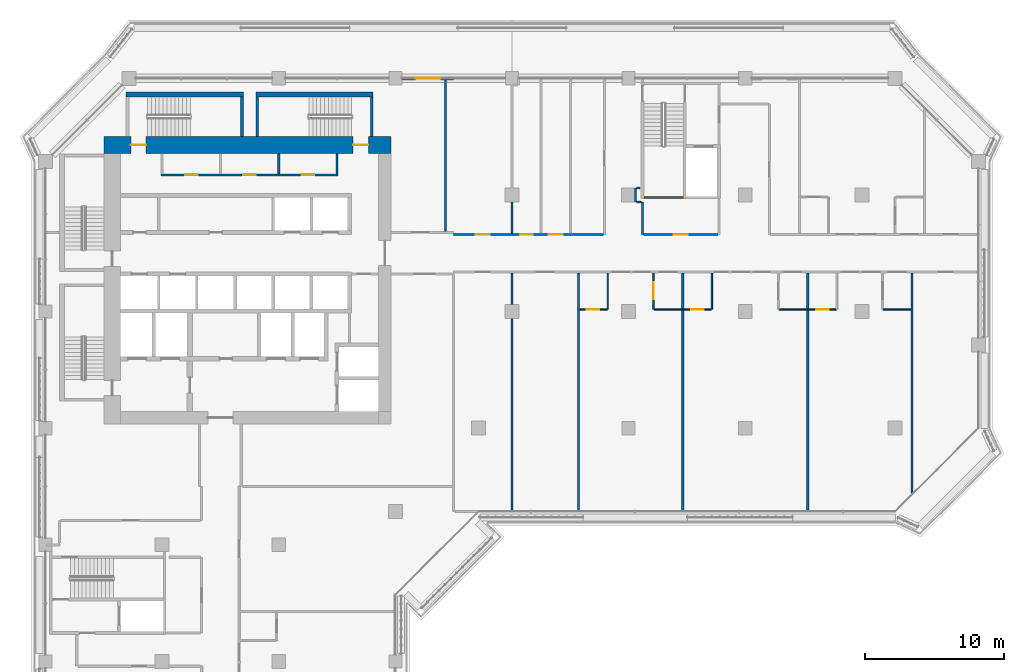
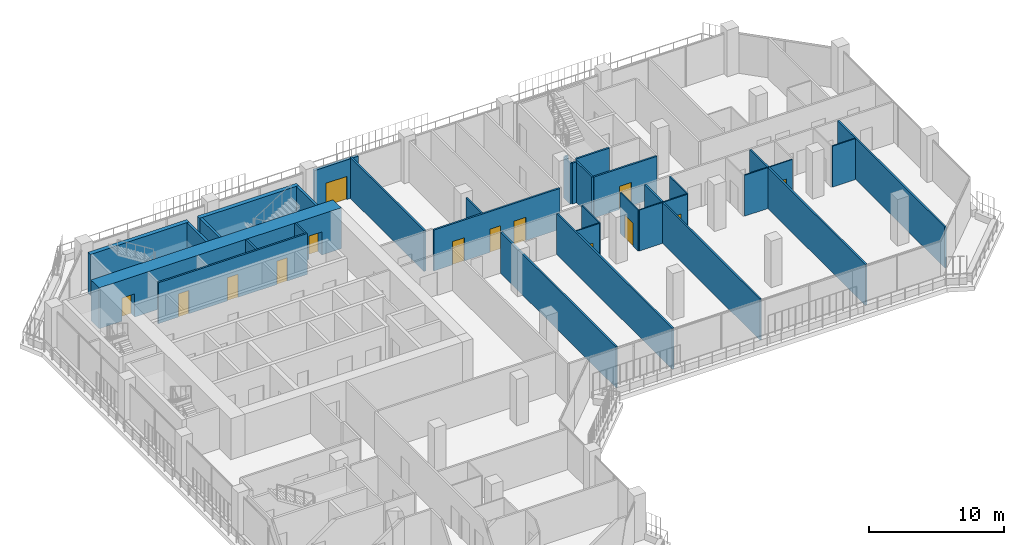
# One storey, part 12 of 22: 31 walls, 14 doors, 14 openings.
"""IFC4 building model written with IfcOpenShell, lengths in metres."""

from ifc_helpers import new_model, si_unit, direction, frame, frame_2d, origin, place, context, subcontext, project, spatial, rectangle, extrude, material, layer, layer_set, type_object, element, fill, save


model = new_model("IFC4")

# Units and contexts
model_context = context("Model", 3, precision=1e-05, world=origin(), true_north=direction((0.0, 1.0)))
body_context = subcontext(model_context, "Body", "Model", "MODEL_VIEW")
ifc_project = project(units=[si_unit("LENGTHUNIT", "METRE"), si_unit("AREAUNIT", "SQUARE_METRE"), si_unit("VOLUMEUNIT", "CUBIC_METRE"), si_unit("PLANEANGLEUNIT", "RADIAN"), si_unit("MASSUNIT", "GRAM", prefix="KILO")], contexts=[model_context])

# Site, building, storey
site_placement = place(None, origin())
site = spatial("IfcSite", under=ifc_project, at=site_placement, CompositionType="ELEMENT")
building_placement = place(site_placement, origin())
building = spatial("IfcBuilding", under=site, at=building_placement, Name="Kawkab Arch Medical Tower", CompositionType="ELEMENT")
storey_placement = place(building_placement, frame((0.0, 0.0, 208.800048828125)))
storey = spatial("IfcBuildingStorey", under=building, at=storey_placement, Name="L48", CompositionType="ELEMENT", Elevation=208.800048828125)

# Wall, openings, doors
ifc_material_1 = material(Name="Concrete C55/67", Category="concrete")
ifc_layer_1 = layer(ifc_material_1, 1.199951171875)
ifc_layer_set_1 = layer_set([ifc_layer_1], Name="Concrete C55/67")
wall_type_1 = type_object("IfcWallType", Name="Core ring wall 1200 C55/67", PredefinedType="SHEAR", material=ifc_layer_set_1)
wall_1_placement = place(storey_placement, frame((4.199951171875, -4.800048828125, 0.0), z_axis=(0.0, 0.0, 1.0), x_axis=(1.0, 0.0, 0.0)))
wall_1 = element("IfcWall", 1, at=wall_1_placement, inside=storey, type_object=wall_type_1, Name="L48 core wall", PredefinedType="SHEAR", context=body_context, shape_type="SweptSolid", body=[
    extrude(rectangle(XDim=20.699951171875, YDim=1.199951171875, at=frame_2d((10.35009765625, 0.0))), origin(), (0.0, 0.0, 1.0), 3.699951171875),
])
opening_1_placement = place(wall_1_placement, frame((1.949951171875, 0.0, 0.0)))
opening_1 = element("IfcOpeningElement", 2, at=opening_1_placement, cuts=wall_1, Name="Opening SD", PredefinedType="OPENING", context=body_context, shape_type="SweptSolid", body=[
    extrude(rectangle(XDim=1.10009765625, YDim=2.10009765625, at=frame_2d((0.550048828125, 1.050048828125))), frame((0.0, 0.60986328125, 0.0), z_axis=(0.0, -1.0, 0.0), x_axis=(1.0, 0.0, 0.0)), (0.0, 0.0, 1.0), 1.219970703125),
])
opening_2_placement = place(wall_1_placement, frame((17.949951171875, 0.0, 0.0)))
opening_2 = element("IfcOpeningElement", 3, at=opening_2_placement, cuts=wall_1, Name="Opening SD", PredefinedType="OPENING", context=body_context, shape_type="SweptSolid", body=[
    extrude(rectangle(XDim=1.10009765625, YDim=2.10009765625, at=frame_2d((0.550048828125, 1.050048828125))), frame((0.0, 0.60986328125, 0.0), z_axis=(0.0, -1.0, 0.0), x_axis=(1.0, 0.0, 0.0)), (0.0, 0.0, 1.0), 1.219970703125),
])
ifc_material_2 = material(Name="Hollow metal fire door leaf")
door_type_1 = type_object("IfcDoorType", Name="Exit stair door 1100", OperationType="SINGLE_SWING_LEFT", PredefinedType="DOOR", material=ifc_material_2)
door_1_placement = place(opening_1_placement, origin())
door_1 = element("IfcDoor", 4, at=door_1_placement, inside=storey, type_object=door_type_1, Name="L48 Exit stair ST3 door", OperationType="SINGLE_SWING_LEFT", OverallHeight=2.10009765625, OverallWidth=1.10009765625, PredefinedType="DOOR", context=body_context, shape_type="SweptSolid", body=[
    extrude(rectangle(XDim=1.10009765625, YDim=2.10009765625, at=frame_2d((0.550048828125, 1.050048828125))), frame((0.0, 0.02490234375, 0.0), z_axis=(0.0, -1.0, 0.0), x_axis=(1.0, 0.0, 0.0)), (0.0, 0.0, 1.0), 0.050048828125),
])
fill(opening_1, door_1)
door_2_placement = place(opening_2_placement, origin())
door_2 = element("IfcDoor", 5, at=door_2_placement, inside=storey, type_object=door_type_1, Name="L48 Exit stair ST4 door", OperationType="SINGLE_SWING_LEFT", OverallHeight=2.10009765625, OverallWidth=1.10009765625, PredefinedType="DOOR", context=body_context, shape_type="SweptSolid", body=[
    extrude(rectangle(XDim=1.10009765625, YDim=2.10009765625, at=frame_2d((0.550048828125, 1.050048828125))), frame((0.0, 0.02490234375, 0.0), z_axis=(0.0, -1.0, 0.0), x_axis=(1.0, 0.0, 0.0)), (0.0, 0.0, 1.0), 0.050048828125),
])
fill(opening_2, door_2)

ifc_material_3 = material(Name="Gypsum board on steel studs", Category="steel")
ifc_layer_2 = layer(ifc_material_3, 0.14990234375)
ifc_layer_set_2 = layer_set([ifc_layer_2], Name="Gypsum board on steel studs")
wall_type_2 = type_object("IfcWallType", Name="Core room partition 150", PredefinedType="PARTITIONING", material=ifc_layer_set_2)
wall_2_placement = place(storey_placement, frame((8.324951171875, -6.949951171875, 0.0), z_axis=(0.0, 0.0, 1.0), x_axis=(1.0, 0.0, 0.0)))
wall_2 = element("IfcWall", 6, at=wall_2_placement, inside=storey, type_object=wall_type_2, Name="L48 core room partition", PredefinedType="PARTITIONING", context=body_context, shape_type="SweptSolid", body=[
    extrude(rectangle(XDim=12.75, YDim=0.14990234375, at=frame_2d((6.375, 0.0))), origin(), (0.0, 0.0, 1.0), 3.699951171875),
])
opening_3_placement = place(wall_2_placement, frame((1.72509765625, 0.0, 0.0)))
opening_3 = element("IfcOpeningElement", 7, at=opening_3_placement, cuts=wall_2, Name="Opening RD", PredefinedType="OPENING", context=body_context, shape_type="SweptSolid", body=[
    extrude(rectangle(XDim=0.89990234375, YDim=2.10009765625, at=frame_2d((0.449951171875, 1.050048828125))), frame((0.0, 0.0849609375, 0.0), z_axis=(0.0, -1.0, 0.0), x_axis=(1.0, 0.0, 0.0)), (0.0, 0.0, 1.0), 0.169921875),
])
opening_4_placement = place(wall_2_placement, frame((5.925048828125, 0.0, 0.0)))
opening_4 = element("IfcOpeningElement", 8, at=opening_4_placement, cuts=wall_2, Name="Opening RD", PredefinedType="OPENING", context=body_context, shape_type="SweptSolid", body=[
    extrude(rectangle(XDim=0.89990234375, YDim=2.10009765625, at=frame_2d((0.449951171875, 1.050048828125))), frame((0.0, 0.0849609375, 0.0), z_axis=(0.0, -1.0, 0.0), x_axis=(1.0, 0.0, 0.0)), (0.0, 0.0, 1.0), 0.169921875),
])
opening_5_placement = place(wall_2_placement, frame((10.125, 0.0, 0.0)))
opening_5 = element("IfcOpeningElement", 9, at=opening_5_placement, cuts=wall_2, Name="Opening RD", PredefinedType="OPENING", context=body_context, shape_type="SweptSolid", body=[
    extrude(rectangle(XDim=0.89990234375, YDim=2.10009765625, at=frame_2d((0.449951171875, 1.050048828125))), frame((0.0, 0.0849609375, 0.0), z_axis=(0.0, -1.0, 0.0), x_axis=(1.0, 0.0, 0.0)), (0.0, 0.0, 1.0), 0.169921875),
])
ifc_material_4 = material(Name="Hollow metal fire door leaf")
door_type_2 = type_object("IfcDoorType", Name="Core room door 900", OperationType="SINGLE_SWING_LEFT", PredefinedType="DOOR", material=ifc_material_4)
door_3_placement = place(opening_3_placement, origin())
door_3 = element("IfcDoor", 10, at=door_3_placement, inside=storey, type_object=door_type_2, Name="L48 Sprinkler valve room door", OperationType="SINGLE_SWING_LEFT", OverallHeight=2.10009765625, OverallWidth=0.89990234375, PredefinedType="DOOR", context=body_context, shape_type="SweptSolid", body=[
    extrude(rectangle(XDim=0.89990234375, YDim=2.10009765625, at=frame_2d((0.449951171875, 1.050048828125))), frame((0.0, 0.02490234375, 0.0), z_axis=(0.0, -1.0, 0.0), x_axis=(1.0, 0.0, 0.0)), (0.0, 0.0, 1.0), 0.050048828125),
])
fill(opening_3, door_3)
door_4_placement = place(opening_4_placement, origin())
door_4 = element("IfcDoor", 11, at=door_4_placement, inside=storey, type_object=door_type_2, Name="L48 Data room door", OperationType="SINGLE_SWING_LEFT", OverallHeight=2.10009765625, OverallWidth=0.89990234375, PredefinedType="DOOR", context=body_context, shape_type="SweptSolid", body=[
    extrude(rectangle(XDim=0.89990234375, YDim=2.10009765625, at=frame_2d((0.449951171875, 1.050048828125))), frame((0.0, 0.02490234375, 0.0), z_axis=(0.0, -1.0, 0.0), x_axis=(1.0, 0.0, 0.0)), (0.0, 0.0, 1.0), 0.050048828125),
])
fill(opening_4, door_4)
door_5_placement = place(opening_5_placement, origin())
door_5 = element("IfcDoor", 12, at=door_5_placement, inside=storey, type_object=door_type_2, Name="L48 Electrical riser room door", OperationType="SINGLE_SWING_LEFT", OverallHeight=2.10009765625, OverallWidth=0.89990234375, PredefinedType="DOOR", context=body_context, shape_type="SweptSolid", body=[
    extrude(rectangle(XDim=0.89990234375, YDim=2.10009765625, at=frame_2d((0.449951171875, 1.050048828125))), frame((0.0, 0.02490234375, 0.0), z_axis=(0.0, -1.0, 0.0), x_axis=(1.0, 0.0, 0.0)), (0.0, 0.0, 1.0), 0.050048828125),
])
fill(opening_5, door_5)

# Walls
for number, where, z_axis, x_axis, name in (
    (13, (16.800048828125, -6.875, 0.0), (0.0, 0.0, 1.0), (0.0, 1.0, 0.0), "L48 core room partition"),
    (14, (21.0, -6.875, 0.0), (0.0, 0.0, 1.0), (0.0, 1.0, 0.0), "L48 core room partition"),
):
    element("IfcWall", number, at=place(storey_placement, frame(where, z_axis=z_axis, x_axis=x_axis)), inside=storey, type_object=wall_type_2, Name=name, PredefinedType="PARTITIONING", context=body_context, shape_type="SweptSolid", body=[
        extrude(rectangle(XDim=1.47509765625, YDim=0.14990234375, at=frame_2d((0.737548828125, 0.0))), origin(), (0.0, 0.0, 1.0), 3.699951171875),
    ])

# Wall, opening, door
ifc_material_5 = material(Name="Bronze clad insulated wall panel")
ifc_layer_3 = layer(ifc_material_5, 0.25)
ifc_layer_set_3 = layer_set([ifc_layer_3], Name="Bronze clad insulated wall panel")
wall_type_3 = type_object("IfcWallType", Name="External wall bay 250", PredefinedType="SOLIDWALL", material=ifc_layer_set_3)
wall_3_placement = place(storey_placement, frame((29.39990234375, 0.0, 0.0), z_axis=(0.0, 0.0, 1.0), x_axis=(-1.0, 0.0, 0.0)))
wall_3 = element("IfcWall", 15, at=wall_3_placement, inside=storey, type_object=wall_type_3, Name="External wall bay L48.R11.4.2", PredefinedType="SOLIDWALL", context=body_context, shape_type="SweptSolid", body=[
    extrude(rectangle(XDim=3.724853515625, YDim=0.25, at=frame_2d((1.8623046875, 0.0))), origin(), (0.0, 0.0, 1.0), 3.579833984375),
])
opening_6_placement = place(wall_3_placement, frame((0.96240234375, 0.0, 0.0)))
opening_6 = element("IfcOpeningElement", 16, at=opening_6_placement, cuts=wall_3, Name="Opening W43-701", PredefinedType="OPENING", context=body_context, shape_type="SweptSolid", body=[
    extrude(rectangle(XDim=1.800048828125, YDim=2.10009765625, at=frame_2d((0.89990234375, 1.050048828125))), frame((0.0, 0.135009765625, 0.0), z_axis=(0.0, -1.0, 0.0), x_axis=(1.0, 0.0, 0.0)), (0.0, 0.0, 1.0), 0.27001953125),
])
ifc_material_6 = material(Name="Bronze anodised aluminium door with tinted glass", Category="aluminium")
door_type_3 = type_object("IfcDoorType", Name="Double external door 1800 x 2100", OperationType="DOUBLE_DOOR_SINGLE_SWING", PredefinedType="DOOR", material=ifc_material_6)
door_6_placement = place(opening_6_placement, origin())
door_6 = element("IfcDoor", 17, at=door_6_placement, inside=storey, type_object=door_type_3, Name="External door L48.R11.4.2", OperationType="DOUBLE_DOOR_SINGLE_SWING", OverallHeight=2.10009765625, OverallWidth=1.800048828125, PredefinedType="DOOR", context=body_context, shape_type="SweptSolid", body=[
    extrude(rectangle(XDim=1.800048828125, YDim=2.10009765625, at=frame_2d((0.89990234375, 1.050048828125))), frame((0.0, 0.02490234375, 0.0), z_axis=(0.0, -1.0, 0.0), x_axis=(1.0, 0.0, 0.0)), (0.0, 0.0, 1.0), 0.050048828125),
])
fill(opening_6, door_6)

ifc_material_7 = material(Name="Gypsum board partition on steel studs", Category="steel")
ifc_layer_4 = layer(ifc_material_7, 0.10009765625)
ifc_layer_set_4 = layer_set([ifc_layer_4], Name="Gypsum board partition on steel studs")
wall_type_4 = type_object("IfcWallType", Name="Partition 100", PredefinedType="PARTITIONING", material=ifc_layer_set_4)
wall_4_placement = place(storey_placement, frame((38.47509765625, -16.64990234375, 0.0), z_axis=(0.0, 0.0, 1.0), x_axis=(1.0, 0.0, 0.0)))
wall_4 = element("IfcWall", 18, at=wall_4_placement, inside=storey, type_object=wall_type_4, Name="Partition 100 w004", PredefinedType="PARTITIONING", context=body_context, shape_type="SweptSolid", body=[
    extrude(rectangle(XDim=1.974853515625, YDim=0.10009765625, at=frame_2d((0.9873046875, 0.0))), origin(), (0.0, 0.0, 1.0), 3.699951171875),
])
opening_7_placement = place(wall_4_placement, frame((0.52490234375, 0.0, 0.0)))
opening_7 = element("IfcOpeningElement", 19, at=opening_7_placement, cuts=wall_4, Name="Opening W43-004", PredefinedType="OPENING", context=body_context, shape_type="SweptSolid", body=[
    extrude(rectangle(XDim=0.89990234375, YDim=2.10009765625, at=frame_2d((0.449951171875, 1.050048828125))), frame((0.0, 0.06005859375, 0.0), z_axis=(0.0, -1.0, 0.0), x_axis=(1.0, 0.0, 0.0)), (0.0, 0.0, 1.0), 0.1201171875),
])
ifc_material_8 = material(Name="Timber door leaf", Category="wood")
door_type_4 = type_object("IfcDoorType", Name="Single door 900x2100", OperationType="NOTDEFINED", PredefinedType="DOOR", material=ifc_material_8)
door_7_placement = place(opening_7_placement, origin())
door_7 = element("IfcDoor", 20, at=door_7_placement, inside=storey, type_object=door_type_4, Name="Door W43-004", OperationType="SINGLE_SWING_RIGHT", OverallHeight=2.10009765625, OverallWidth=0.89990234375, PredefinedType="DOOR", context=body_context, shape_type="SweptSolid", body=[
    extrude(rectangle(XDim=0.89990234375, YDim=2.10009765625, at=frame_2d((0.449951171875, 1.050048828125))), frame((0.0, 0.02490234375, 0.0), z_axis=(0.0, -1.0, 0.0), x_axis=(1.0, 0.0, 0.0)), (0.0, 0.0, 1.0), 0.050048828125),
])
fill(opening_7, door_7)

wall_5_placement = place(storey_placement, frame((43.85009765625, -16.64990234375, 0.0), z_axis=(0.0, 0.0, 1.0), x_axis=(1.0, 0.0, 0.0)))
wall_5 = element("IfcWall", 21, at=wall_5_placement, inside=storey, type_object=wall_type_4, Name="Partition 100 w005", PredefinedType="PARTITIONING", context=body_context, shape_type="SweptSolid", body=[
    extrude(rectangle(XDim=4.099853515625, YDim=0.10009765625, at=frame_2d((2.0498046875, 0.0))), origin(), (0.0, 0.0, 1.0), 3.699951171875),
])
opening_8_placement = place(wall_5_placement, frame((2.64990234375, 0.0, 0.0)))
opening_8 = element("IfcOpeningElement", 22, at=opening_8_placement, cuts=wall_5, Name="Opening W43-005", PredefinedType="OPENING", context=body_context, shape_type="SweptSolid", body=[
    extrude(rectangle(XDim=0.89990234375, YDim=2.10009765625, at=frame_2d((0.449951171875, 1.050048828125))), frame((0.0, 0.06005859375, 0.0), z_axis=(0.0, -1.0, 0.0), x_axis=(1.0, 0.0, 0.0)), (0.0, 0.0, 1.0), 0.1201171875),
])
door_8_placement = place(opening_8_placement, origin())
door_8 = element("IfcDoor", 23, at=door_8_placement, inside=storey, type_object=door_type_4, Name="Door W43-005", OperationType="SINGLE_SWING_LEFT", OverallHeight=2.10009765625, OverallWidth=0.89990234375, PredefinedType="DOOR", context=body_context, shape_type="SweptSolid", body=[
    extrude(rectangle(XDim=0.89990234375, YDim=2.10009765625, at=frame_2d((0.449951171875, 1.050048828125))), frame((0.0, 0.02490234375, 0.0), z_axis=(0.0, -1.0, 0.0), x_axis=(1.0, 0.0, 0.0)), (0.0, 0.0, 1.0), 0.050048828125),
])
fill(opening_8, door_8)

wall_6_placement = place(storey_placement, frame((52.85009765625, -16.64990234375, 0.0), z_axis=(0.0, 0.0, 1.0), x_axis=(1.0, 0.0, 0.0)))
wall_6 = element("IfcWall", 24, at=wall_6_placement, inside=storey, type_object=wall_type_4, Name="Partition 100 w006", PredefinedType="PARTITIONING", context=body_context, shape_type="SweptSolid", body=[
    extrude(rectangle(XDim=4.099853515625, YDim=0.10009765625, at=frame_2d((2.0498046875, 0.0))), origin(), (0.0, 0.0, 1.0), 3.699951171875),
])
opening_9_placement = place(wall_6_placement, frame((2.64990234375, 0.0, 0.0)))
opening_9 = element("IfcOpeningElement", 25, at=opening_9_placement, cuts=wall_6, Name="Opening W43-006", PredefinedType="OPENING", context=body_context, shape_type="SweptSolid", body=[
    extrude(rectangle(XDim=0.89990234375, YDim=2.10009765625, at=frame_2d((0.449951171875, 1.050048828125))), frame((0.0, 0.06005859375, 0.0), z_axis=(0.0, -1.0, 0.0), x_axis=(1.0, 0.0, 0.0)), (0.0, 0.0, 1.0), 0.1201171875),
])
door_9_placement = place(opening_9_placement, origin())
door_9 = element("IfcDoor", 26, at=door_9_placement, inside=storey, type_object=door_type_4, Name="Door W43-006", OperationType="SINGLE_SWING_LEFT", OverallHeight=2.10009765625, OverallWidth=0.89990234375, PredefinedType="DOOR", context=body_context, shape_type="SweptSolid", body=[
    extrude(rectangle(XDim=0.89990234375, YDim=2.10009765625, at=frame_2d((0.449951171875, 1.050048828125))), frame((0.0, 0.02490234375, 0.0), z_axis=(0.0, -1.0, 0.0), x_axis=(1.0, 0.0, 0.0)), (0.0, 0.0, 1.0), 0.050048828125),
])
fill(opening_9, door_9)

# Walls
wall_7_placement = place(storey_placement, frame((60.35009765625, -16.64990234375, 0.0), z_axis=(0.0, 0.0, 1.0), x_axis=(1.0, 0.0, 0.0)))
element("IfcWall", 27, at=wall_7_placement, inside=storey, type_object=wall_type_4, Name="Partition 100 w007", PredefinedType="PARTITIONING", context=body_context, shape_type="SweptSolid", body=[
    extrude(rectangle(XDim=1.974853515625, YDim=0.10009765625, at=frame_2d((0.9873046875, 0.0))), origin(), (0.0, 0.0, 1.0), 3.699951171875),
])
wall_8_placement = place(storey_placement, frame((40.5, -16.64990234375, 0.0), z_axis=(0.0, 0.0, 1.0), x_axis=(0.0, 1.0, 0.0)))
element("IfcWall", 28, at=wall_8_placement, inside=storey, type_object=wall_type_4, Name="Partition 100 w013", PredefinedType="PARTITIONING", context=body_context, shape_type="SweptSolid", body=[
    extrude(rectangle(XDim=2.625, YDim=0.10009765625, at=frame_2d((1.3125, 0.0))), origin(), (0.0, 0.0, 1.0), 3.699951171875),
])

# Wall, opening, door
wall_9_placement = place(storey_placement, frame((43.800048828125, -16.64990234375, 0.0), z_axis=(0.0, 0.0, 1.0), x_axis=(0.0, 1.0, 0.0)))
wall_9 = element("IfcWall", 29, at=wall_9_placement, inside=storey, type_object=wall_type_4, Name="Partition 100 w014", PredefinedType="PARTITIONING", context=body_context, shape_type="SweptSolid", body=[
    extrude(rectangle(XDim=2.625, YDim=0.10009765625, at=frame_2d((1.3125, 0.0))), origin(), (0.0, 0.0, 1.0), 3.699951171875),
])
opening_10_placement = place(wall_9_placement, frame((0.75, 0.0, 0.0)))
opening_10 = element("IfcOpeningElement", 30, at=opening_10_placement, cuts=wall_9, Name="Opening W43-031", PredefinedType="OPENING", context=body_context, shape_type="SweptSolid", body=[
    extrude(rectangle(XDim=1.199951171875, YDim=2.10009765625, at=frame_2d((0.60009765625, 1.050048828125))), frame((0.0, 0.06005859375, 0.0), z_axis=(0.0, -1.0, 0.0), x_axis=(1.0, 0.0, 0.0)), (0.0, 0.0, 1.0), 0.1201171875),
])
ifc_material_9 = material(Name="Timber door leaf", Category="wood")
door_type_5 = type_object("IfcDoorType", Name="Single door 1200x2100", OperationType="NOTDEFINED", PredefinedType="DOOR", material=ifc_material_9)
door_10_placement = place(opening_10_placement, origin())
door_10 = element("IfcDoor", 31, at=door_10_placement, inside=storey, type_object=door_type_5, Name="Door W43-031", OperationType="SINGLE_SWING_RIGHT", OverallHeight=2.10009765625, OverallWidth=1.199951171875, PredefinedType="DOOR", context=body_context, shape_type="SweptSolid", body=[
    extrude(rectangle(XDim=1.199951171875, YDim=2.10009765625, at=frame_2d((0.60009765625, 1.050048828125))), frame((0.0, 0.02490234375, 0.0), z_axis=(0.0, -1.0, 0.0), x_axis=(1.0, 0.0, 0.0)), (0.0, 0.0, 1.0), 0.050048828125),
])
fill(opening_10, door_10)

# Wall
wall_10_placement = place(storey_placement, frame((48.0, -16.64990234375, 0.0), z_axis=(0.0, 0.0, 1.0), x_axis=(0.0, 1.0, 0.0)))
element("IfcWall", 32, at=wall_10_placement, inside=storey, type_object=wall_type_4, Name="Partition 100 w015", PredefinedType="PARTITIONING", context=body_context, shape_type="SweptSolid", body=[
    extrude(rectangle(XDim=2.625, YDim=0.10009765625, at=frame_2d((1.3125, 0.0))), origin(), (0.0, 0.0, 1.0), 3.699951171875),
])

# Wall, openings, doors
ifc_material_10 = material(Name="Gypsum board partition on steel studs, mineral wool", Category="steel")
ifc_layer_5 = layer(ifc_material_10, 0.14990234375)
ifc_layer_set_5 = layer_set([ifc_layer_5], Name="Gypsum board partition on steel studs, mineral wool")
wall_type_5 = type_object("IfcWallType", Name="Partition 150", PredefinedType="PARTITIONING", material=ifc_layer_set_5)
wall_11_placement = place(storey_placement, frame((29.39990234375, -11.25, 0.0), z_axis=(0.0, 0.0, 1.0), x_axis=(1.0, 0.0, 0.0)))
wall_11 = element("IfcWall", 33, at=wall_11_placement, inside=storey, type_object=wall_type_5, Name="Partition 150 w034", PredefinedType="PARTITIONING", context=body_context, shape_type="SweptSolid", body=[
    extrude(rectangle(XDim=10.781982421875, YDim=0.14990234375, at=frame_2d((5.39111328125, 0.0))), origin(), (0.0, 0.0, 1.0), 3.699951171875),
])
opening_11_placement = place(wall_11_placement, frame((1.60009765625, 0.0, 0.0)))
opening_11 = element("IfcOpeningElement", 34, at=opening_11_placement, cuts=wall_11, Name="Opening W43-012", PredefinedType="OPENING", context=body_context, shape_type="SweptSolid", body=[
    extrude(rectangle(XDim=1.0, YDim=2.10009765625, at=frame_2d((0.5, 1.050048828125))), frame((0.0, 0.0849609375, 0.0), z_axis=(0.0, -1.0, 0.0), x_axis=(1.0, 0.0, 0.0)), (0.0, 0.0, 1.0), 0.169921875),
])
opening_12_placement = place(wall_11_placement, frame((4.800048828125, 0.0, 0.0)))
opening_12 = element("IfcOpeningElement", 35, at=opening_12_placement, cuts=wall_11, Name="Opening W43-009", PredefinedType="OPENING", context=body_context, shape_type="SweptSolid", body=[
    extrude(rectangle(XDim=0.89990234375, YDim=2.10009765625, at=frame_2d((0.449951171875, 1.050048828125))), frame((0.0, 0.0849609375, 0.0), z_axis=(0.0, -1.0, 0.0), x_axis=(1.0, 0.0, 0.0)), (0.0, 0.0, 1.0), 0.169921875),
])
opening_13_placement = place(wall_11_placement, frame((6.85009765625, 0.0, 0.0)))
opening_13 = element("IfcOpeningElement", 36, at=opening_13_placement, cuts=wall_11, Name="Opening W43-011", PredefinedType="OPENING", context=body_context, shape_type="SweptSolid", body=[
    extrude(rectangle(XDim=1.0, YDim=2.10009765625, at=frame_2d((0.5, 1.050048828125))), frame((0.0, 0.0849609375, 0.0), z_axis=(0.0, -1.0, 0.0), x_axis=(1.0, 0.0, 0.0)), (0.0, 0.0, 1.0), 0.169921875),
])
ifc_material_11 = material(Name="Timber door leaf", Category="wood")
door_type_6 = type_object("IfcDoorType", Name="Single door 1000x2100", OperationType="NOTDEFINED", PredefinedType="DOOR", material=ifc_material_11)
door_11_placement = place(opening_13_placement, origin())
door_11 = element("IfcDoor", 37, at=door_11_placement, inside=storey, type_object=door_type_6, Name="Door W43-011", OperationType="SINGLE_SWING_RIGHT", OverallHeight=2.10009765625, OverallWidth=1.0, PredefinedType="DOOR", context=body_context, shape_type="SweptSolid", body=[
    extrude(rectangle(XDim=1.0, YDim=2.10009765625, at=frame_2d((0.5, 1.050048828125))), frame((0.0, 0.02490234375, 0.0), z_axis=(0.0, -1.0, 0.0), x_axis=(1.0, 0.0, 0.0)), (0.0, 0.0, 1.0), 0.050048828125),
])
fill(opening_13, door_11)
ifc_material_12 = material(Name="Hollow metal door leaf")
door_type_7 = type_object("IfcDoorType", Name="Single door 1000x2100 FD30S", OperationType="NOTDEFINED", PredefinedType="DOOR", material=ifc_material_12)
door_12_placement = place(opening_11_placement, origin())
door_12 = element("IfcDoor", 38, at=door_12_placement, inside=storey, type_object=door_type_7, Name="Door W43-012", OperationType="SINGLE_SWING_LEFT", OverallHeight=2.10009765625, OverallWidth=1.0, PredefinedType="DOOR", context=body_context, shape_type="SweptSolid", body=[
    extrude(rectangle(XDim=1.0, YDim=2.10009765625, at=frame_2d((0.5, 1.050048828125))), frame((0.0, 0.02490234375, 0.0), z_axis=(0.0, -1.0, 0.0), x_axis=(1.0, 0.0, 0.0)), (0.0, 0.0, 1.0), 0.050048828125),
])
fill(opening_11, door_12)
door_13_placement = place(opening_12_placement, origin())
door_13 = element("IfcDoor", 39, at=door_13_placement, inside=storey, type_object=door_type_4, Name="Door W43-009", OperationType="SINGLE_SWING_LEFT", OverallHeight=2.10009765625, OverallWidth=0.89990234375, PredefinedType="DOOR", context=body_context, shape_type="SweptSolid", body=[
    extrude(rectangle(XDim=0.89990234375, YDim=2.10009765625, at=frame_2d((0.449951171875, 1.050048828125))), frame((0.0, 0.02490234375, 0.0), z_axis=(0.0, -1.0, 0.0), x_axis=(1.0, 0.0, 0.0)), (0.0, 0.0, 1.0), 0.050048828125),
])
fill(opening_12, door_13)

# Wall, opening, door
wall_12_placement = place(storey_placement, frame((43.074951171875, -11.25, 0.0), z_axis=(0.0, 0.0, 1.0), x_axis=(1.0, 0.0, 0.0)))
wall_12 = element("IfcWall", 40, at=wall_12_placement, inside=storey, type_object=wall_type_5, Name="Partition 150 w035", PredefinedType="PARTITIONING", context=body_context, shape_type="SweptSolid", body=[
    extrude(rectangle(XDim=5.375, YDim=0.14990234375, at=frame_2d((2.6875, 0.0))), origin(), (0.0, 0.0, 1.0), 3.699951171875),
])
opening_14_placement = place(wall_12_placement, frame((2.18798828125, 0.0, 0.0)))
opening_14 = element("IfcOpeningElement", 41, at=opening_14_placement, cuts=wall_12, Name="Opening W43-013", PredefinedType="OPENING", context=body_context, shape_type="SweptSolid", body=[
    extrude(rectangle(XDim=1.0, YDim=2.10009765625, at=frame_2d((0.5, 1.050048828125))), frame((0.0, 0.0849609375, 0.0), z_axis=(0.0, -1.0, 0.0), x_axis=(1.0, 0.0, 0.0)), (0.0, 0.0, 1.0), 0.169921875),
])
door_14_placement = place(opening_14_placement, origin())
door_14 = element("IfcDoor", 42, at=door_14_placement, inside=storey, type_object=door_type_7, Name="Door W43-013", OperationType="SINGLE_SWING_LEFT", OverallHeight=2.10009765625, OverallWidth=1.0, PredefinedType="DOOR", context=body_context, shape_type="SweptSolid", body=[
    extrude(rectangle(XDim=1.0, YDim=2.10009765625, at=frame_2d((0.5, 1.050048828125))), frame((0.0, 0.02490234375, 0.0), z_axis=(0.0, -1.0, 0.0), x_axis=(1.0, 0.0, 0.0)), (0.0, 0.0, 1.0), 0.050048828125),
])
fill(opening_14, door_14)

# Walls
wall_13_placement = place(storey_placement, frame((42.576904296875, -8.89990234375, 0.0), z_axis=(0.0, 0.0, 1.0), x_axis=(1.0, 0.0, 0.0)))
element("IfcWall", 43, at=wall_13_placement, inside=storey, type_object=wall_type_5, Name="Partition 150 w039", PredefinedType="PARTITIONING", context=body_context, shape_type="SweptSolid", body=[
    extrude(rectangle(XDim=0.34619140625, YDim=0.14990234375, at=frame_2d((0.173095703125, 0.0))), origin(), (0.0, 0.0, 1.0), 3.699951171875),
])
wall_14_placement = place(storey_placement, frame((42.576904296875, -7.89990234375, 0.0), z_axis=(0.0, 0.0, 1.0), x_axis=(1.0, 0.0, 0.0)))
element("IfcWall", 44, at=wall_14_placement, inside=storey, type_object=wall_type_5, Name="Partition 150 w040", PredefinedType="PARTITIONING", context=body_context, shape_type="SweptSolid", body=[
    extrude(rectangle(XDim=0.2431640625, YDim=0.14990234375, at=frame_2d((0.12158203125, 0.0))), origin(), (0.0, 0.0, 1.0), 3.699951171875),
])
wall_15_placement = place(storey_placement, frame((28.800048828125, -11.02490234375, 0.0), z_axis=(0.0, 0.0, 1.0), x_axis=(0.0, 1.0, 0.0)))
element("IfcWall", 45, at=wall_15_placement, inside=storey, type_object=wall_type_5, Name="Partition 150 w051", PredefinedType="PARTITIONING", context=body_context, shape_type="SweptSolid", body=[
    extrude(rectangle(XDim=10.94482421875, YDim=0.14990234375, at=frame_2d((5.472412109375, 0.0))), origin(), (0.0, 0.0, 1.0), 3.699951171875),
])
wall_16_placement = place(storey_placement, frame((33.60009765625, -31.1201171875, 0.0), z_axis=(0.0, 0.0, 1.0), x_axis=(0.0, 1.0, 0.0)))
element("IfcWall", 46, at=wall_16_placement, inside=storey, type_object=wall_type_5, Name="Partition 150 w053", PredefinedType="PARTITIONING", context=body_context, shape_type="SweptSolid", body=[
    extrude(rectangle(XDim=17.09521484375, YDim=0.14990234375, at=frame_2d((8.547607421875, 0.0))), origin(), (0.0, 0.0, 1.0), 3.699951171875),
])
wall_17_placement = place(storey_placement, frame((33.60009765625, -11.175048828125, 0.0), z_axis=(0.0, 0.0, 1.0), x_axis=(0.0, 1.0, 0.0)))
element("IfcWall", 47, at=wall_17_placement, inside=storey, type_object=wall_type_5, Name="Partition 150 w054", PredefinedType="PARTITIONING", context=body_context, shape_type="SweptSolid", body=[
    extrude(rectangle(XDim=2.275146484375, YDim=0.14990234375, at=frame_2d((1.1376953125, 0.0))), origin(), (0.0, 0.0, 1.0), 3.699951171875),
])
wall_18_placement = place(storey_placement, frame((38.39990234375, -31.1201171875, 0.0), z_axis=(0.0, 0.0, 1.0), x_axis=(0.0, 1.0, 0.0)))
element("IfcWall", 48, at=wall_18_placement, inside=storey, type_object=wall_type_5, Name="Partition 150 w059", PredefinedType="PARTITIONING", context=body_context, shape_type="SweptSolid", body=[
    extrude(rectangle(XDim=17.09521484375, YDim=0.14990234375, at=frame_2d((8.547607421875, 0.0))), origin(), (0.0, 0.0, 1.0), 3.699951171875),
])
wall_19_placement = place(storey_placement, frame((42.5, -8.89892578125, 0.0), z_axis=(0.0, 0.0, 1.0), x_axis=(0.0, 1.0, 0.0)))
element("IfcWall", 49, at=wall_19_placement, inside=storey, type_object=wall_type_5, Name="Partition 150 w061", PredefinedType="PARTITIONING", context=body_context, shape_type="SweptSolid", body=[
    extrude(rectangle(XDim=0.996826171875, YDim=0.14990234375, at=frame_2d((0.49853515625, 0.0))), origin(), (0.0, 0.0, 1.0), 3.699951171875),
])
wall_20_placement = place(storey_placement, frame((43.0, -11.25, 0.0), z_axis=(0.0, 0.0, 1.0), x_axis=(0.0, 1.0, 0.0)))
element("IfcWall", 50, at=wall_20_placement, inside=storey, type_object=wall_type_5, Name="Partition 150 w062", PredefinedType="PARTITIONING", context=body_context, shape_type="SweptSolid", body=[
    extrude(rectangle(XDim=2.347900390625, YDim=0.14990234375, at=frame_2d((1.173828125, 0.0))), origin(), (0.0, 0.0, 1.0), 3.699951171875),
])
for number, where, z_axis, x_axis, name in (
    (51, (45.89990234375, -31.1201171875, 0.0), (0.0, 0.0, 1.0), (0.0, 1.0, 0.0), "Partition 150 w064"),
    (52, (54.89990234375, -31.1201171875, 0.0), (0.0, 0.0, 1.0), (0.0, 1.0, 0.0), "Partition 150 w068"),
):
    element("IfcWall", number, at=place(storey_placement, frame(where, z_axis=z_axis, x_axis=x_axis)), inside=storey, type_object=wall_type_5, Name=name, PredefinedType="PARTITIONING", context=body_context, shape_type="SweptSolid", body=[
        extrude(rectangle(XDim=17.09521484375, YDim=0.14990234375, at=frame_2d((8.547607421875, 0.0))), origin(), (0.0, 0.0, 1.0), 3.699951171875),
    ])
wall_21_placement = place(storey_placement, frame((62.39990234375, -29.886962890625, 0.0), z_axis=(0.0, 0.0, 1.0), x_axis=(0.0, 1.0, 0.0)))
element("IfcWall", 53, at=wall_21_placement, inside=storey, type_object=wall_type_5, Name="Partition 150 w069", PredefinedType="PARTITIONING", context=body_context, shape_type="SweptSolid", body=[
    extrude(rectangle(XDim=15.862060546875, YDim=0.14990234375, at=frame_2d((7.93115234375, 0.0))), origin(), (0.0, 0.0, 1.0), 3.699951171875),
])
ifc_material_13 = material(Name="Concrete C50/60", Category="concrete")
ifc_layer_6 = layer(ifc_material_13, 0.14990234375)
ifc_layer_set_6 = layer_set([ifc_layer_6], Name="Concrete C50/60")
wall_type_6 = type_object("IfcWallType", Name="Stair enclosure wall 150 C50/60", PredefinedType="SHEAR", material=ifc_layer_set_6)
wall_22_placement = place(storey_placement, frame((43.10009765625, -8.574951171875, 0.0), z_axis=(0.0, 0.0, 1.0), x_axis=(1.0, 0.0, 0.0)))
element("IfcWall", 54, at=wall_22_placement, inside=storey, type_object=wall_type_6, Name="L48 stair enclosure wall", PredefinedType="SHEAR", context=body_context, shape_type="SweptSolid", body=[
    extrude(rectangle(XDim=2.849853515625, YDim=0.14990234375, at=frame_2d((1.4248046875, 0.0))), origin(), (0.0, 0.0, 1.0), 3.699951171875),
])
ifc_material_14 = material(Name="Concrete C50/60", Category="concrete")
ifc_layer_7 = layer(ifc_material_14, 0.199951171875)
ifc_layer_set_7 = layer_set([ifc_layer_7], Name="Concrete C50/60")
wall_type_7 = type_object("IfcWallType", Name="Stair enclosure wall 200 C50/60", PredefinedType="SHEAR", material=ifc_layer_set_7)
for number, where, z_axis, x_axis, name in (
    (55, (14.14990234375, -4.199951171875, 0.0), (0.0, 0.0, 1.0), (0.0, 1.0, 0.0), "L48 stair enclosure wall"),
    (56, (15.25, -4.199951171875, 0.0), (0.0, 0.0, 1.0), (0.0, 1.0, 0.0), "L48 stair enclosure wall"),
    (57, (23.5, -4.199951171875, 0.0), (0.0, 0.0, 1.0), (0.0, 1.0, 0.0), "L48 stair enclosure wall"),
):
    element("IfcWall", number, at=place(storey_placement, frame(where, z_axis=z_axis, x_axis=x_axis)), inside=storey, type_object=wall_type_7, Name=name, PredefinedType="SHEAR", context=body_context, shape_type="SweptSolid", body=[
        extrude(rectangle(XDim=2.849853515625, YDim=0.199951171875, at=frame_2d((1.4248046875, 0.0))), origin(), (0.0, 0.0, 1.0), 3.699951171875),
    ])
ifc_material_15 = material(Name="Concrete C50/60", Category="concrete")
ifc_layer_8 = layer(ifc_material_15, 0.35009765625)
ifc_layer_set_8 = layer_set([ifc_layer_8], Name="Concrete C50/60")
wall_type_8 = type_object("IfcWallType", Name="Stair enclosure wall 350 C50/60", PredefinedType="SHEAR", material=ifc_layer_set_8)
wall_23_placement = place(storey_placement, frame((5.800048828125, -1.175048828125, 0.0), z_axis=(0.0, 0.0, 1.0), x_axis=(1.0, 0.0, 0.0)))
element("IfcWall", 58, at=wall_23_placement, inside=storey, type_object=wall_type_8, Name="L48 stair enclosure wall", PredefinedType="SHEAR", context=body_context, shape_type="SweptSolid", body=[
    extrude(rectangle(XDim=8.449951171875, YDim=0.35009765625, at=frame_2d((4.22509765625, 0.0))), origin(), (0.0, 0.0, 1.0), 3.699951171875),
])
wall_24_placement = place(storey_placement, frame((15.14990234375, -1.175048828125, 0.0), z_axis=(0.0, 0.0, 1.0), x_axis=(1.0, 0.0, 0.0)))
element("IfcWall", 59, at=wall_24_placement, inside=storey, type_object=wall_type_8, Name="L48 stair enclosure wall", PredefinedType="SHEAR", context=body_context, shape_type="SweptSolid", body=[
    extrude(rectangle(XDim=8.4501953125, YDim=0.35009765625, at=frame_2d((4.22509765625, 0.0))), origin(), (0.0, 0.0, 1.0), 3.699951171875),
])

save(model, "model.ifc")
